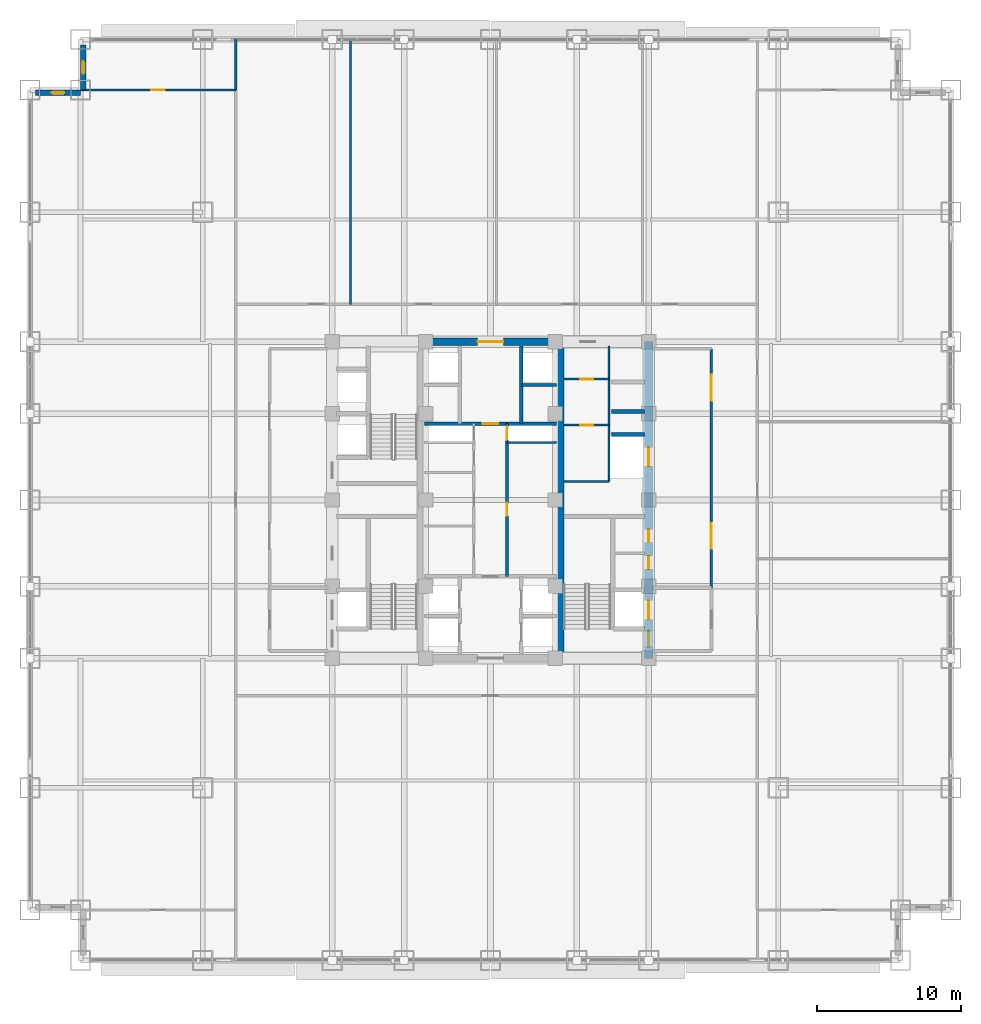
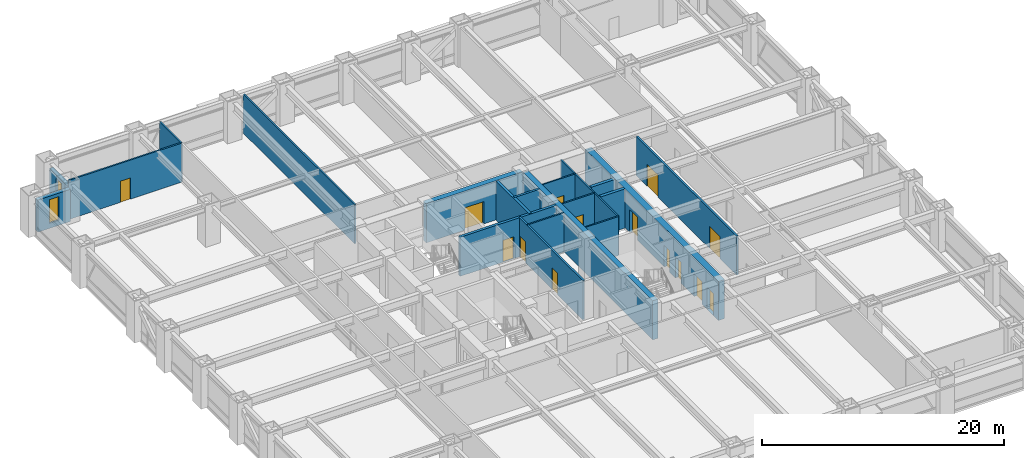
# One storey, part 25 of 31: 20 walls, 14 doors, 2 windows, 16 openings.
"""IFC4 building model written with IfcOpenShell, lengths in metres."""

import ifcopenshell
import ifcopenshell.guid

model = None  # the IFC model being written
_history = None  # IfcOwnerHistory: only IFC2X3 demands one
_inside = {}  # id of a spatial element -> (the spatial element, [elements in it])
_under = {}  # id of a project, library or spatial element -> (it, [spatial elements below it])
_declared = {}  # id of a project -> (the project, [libraries it declares])
_typed = {}  # id of a type object -> (the type object, [elements of that type])
_made_of = {}  # id of a material, layer set ... -> (it, [elements and type objects made of it])


def new_model(schema):
    """Start an empty IFC model of exactly this schema.

    Asked for "IFC4X3", IfcOpenShell would pick the latest addendum, in which some entities
    have other attributes; the version numbers below select the first issue.
    IFC2X3 requires an IfcOwnerHistory on every rooted entity: one is made here for all.
    """
    global model, _history
    if schema == "IFC4X3":
        model = ifcopenshell.file(schema_version=(4, 3, 0, 0))
    else:
        model = ifcopenshell.file(schema=schema)
    _inside.clear()
    _under.clear()
    _declared.clear()
    _typed.clear()
    _made_of.clear()
    _history = None
    if model.schema == "IFC2X3":
        org = make("IfcOrganization", Name="unknown")
        user = make(
            "IfcPersonAndOrganization",
            ThePerson=make("IfcPerson", FamilyName="unknown"),
            TheOrganization=org,
        )
        app = make(
            "IfcApplication",
            ApplicationDeveloper=org,
            Version="unknown",
            ApplicationFullName="unknown",
            ApplicationIdentifier="unknown",
        )
        _history = make(
            "IfcOwnerHistory",
            OwningUser=user,
            OwningApplication=app,
            ChangeAction="ADDED",
            CreationDate=0,
        )
    return model


def make(cls, **values):
    """One entity of the class cls with the attributes given. An attribute that is None is left unset."""
    return model.create_entity(
        cls, **{name: value for name, value in values.items() if value is not None}
    )


def rooted(cls, **values):
    """An entity with a GlobalId (a new one), such as an element, a storey or a relation."""
    return make(cls, GlobalId=ifcopenshell.guid.new(), OwnerHistory=_history, **values)


def si_unit(unit_type, name, prefix=None):
    """IfcSIUnit, for example si_unit("LENGTHUNIT", "METRE", prefix="MILLI")."""
    return make("IfcSIUnit", UnitType=unit_type, Prefix=prefix, Name=name)


def assignment(units):
    """IfcUnitAssignment: the units of a project."""
    return None if units is None else make("IfcUnitAssignment", Units=units)


def point(xyz):
    """IfcCartesianPoint."""
    return None if xyz is None else make("IfcCartesianPoint", Coordinates=xyz)


def direction(xyz):
    """IfcDirection."""
    return None if xyz is None else make("IfcDirection", DirectionRatios=xyz)


def frame(location, z_axis=None, x_axis=None):
    """IfcAxis2Placement3D, a coordinate frame: its origin and axes. An axis left out is left unset."""
    return make(
        "IfcAxis2Placement3D",
        Location=point(location),
        Axis=direction(z_axis),
        RefDirection=direction(x_axis),
    )


def frame_2d(location, x_axis=None):
    """IfcAxis2Placement2D, a coordinate frame in the plane: its origin and x axis."""
    return make(
        "IfcAxis2Placement2D", Location=point(location), RefDirection=direction(x_axis)
    )


def origin():
    """The frame at (0, 0, 0) with its axes left unset."""
    return frame((0.0, 0.0, 0.0))


def place(relative_to, where):
    """IfcLocalPlacement: puts the frame where relative to a parent placement (None: the world)."""
    return make(
        "IfcLocalPlacement", PlacementRelTo=relative_to, RelativePlacement=where
    )


def context(
    kind, dimensions, precision=None, world=None, true_north=None, identifier=None
):
    """IfcGeometricRepresentationContext, for example the 3D "Model" context."""
    return make(
        "IfcGeometricRepresentationContext",
        ContextIdentifier=identifier,
        ContextType=kind,
        CoordinateSpaceDimension=dimensions,
        Precision=precision,
        WorldCoordinateSystem=world,
        TrueNorth=true_north,
    )


def subcontext(parent, identifier, kind, view, scale=None):
    """IfcGeometricRepresentationSubContext, for example "Body" below "Model"."""
    return make(
        "IfcGeometricRepresentationSubContext",
        ContextIdentifier=identifier,
        ContextType=kind,
        ParentContext=parent,
        TargetScale=scale,
        TargetView=view,
    )


def project(units=None, contexts=None):
    """IfcProject with its units and contexts."""
    return rooted(
        "IfcProject",
        Name="project",
        RepresentationContexts=contexts,
        UnitsInContext=assignment(units),
    )


def spatial(cls, under=None, at=None, **own):
    """A site, building, storey or space (cls), placed at a placement, below another one or the project."""
    s = rooted(cls, ObjectPlacement=at, **own)
    if under is not None:
        _under.setdefault(under.id(), (under, []))[1].append(s)
    return s


def profile(cls, at=None, kind="AREA", **sizes):
    """A parametric profile (cls). Its sizes go by their IFC names, for example OverallWidth=200.0."""
    return make(cls, ProfileType=kind, Position=at, **sizes)


def rectangle(**sizes):
    """IfcRectangleProfileDef."""
    return profile("IfcRectangleProfileDef", **sizes)


def extrude(swept, where, along, depth):
    """IfcExtrudedAreaSolid: the profile swept, set in the frame where, extruded along a direction by depth."""
    return make(
        "IfcExtrudedAreaSolid",
        SweptArea=swept,
        Position=where,
        ExtrudedDirection=direction(along),
        Depth=depth,
    )


def shape(context_of_items, identifier, shape_type, items):
    """IfcShapeRepresentation: the items that make up one representation, for example the "Body"."""
    return make(
        "IfcShapeRepresentation",
        ContextOfItems=context_of_items,
        RepresentationIdentifier=identifier,
        RepresentationType=shape_type,
        Items=items,
    )


def source(mapping_origin, context_of_items, identifier, shape_type, items):
    """IfcRepresentationMap: a shape defined once, which mapped items show again and again."""
    return make(
        "IfcRepresentationMap",
        MappingOrigin=mapping_origin,
        MappedRepresentation=shape(context_of_items, identifier, shape_type, items),
    )


def transform(
    local_origin,
    x_axis=None,
    y_axis=None,
    z_axis=None,
    scale=None,
    scale2=None,
    scale3=None,
    uniform=True,
):
    """IfcCartesianTransformationOperator3D, or its non-uniform kind. x_axis, y_axis, z_axis: its Axis1, 2, 3."""
    if uniform:
        return make(
            "IfcCartesianTransformationOperator3D",
            Axis1=direction(x_axis),
            Axis2=direction(y_axis),
            LocalOrigin=point(local_origin),
            Scale=scale,
            Axis3=direction(z_axis),
        )
    return make(
        "IfcCartesianTransformationOperator3DnonUniform",
        Axis1=direction(x_axis),
        Axis2=direction(y_axis),
        LocalOrigin=point(local_origin),
        Scale=scale,
        Axis3=direction(z_axis),
        Scale2=scale2,
        Scale3=scale3,
    )


def mapped(mapping_source, mapping_target):
    """IfcMappedItem: shows the shape of a source again, moved by a transform."""
    return make(
        "IfcMappedItem", MappingSource=mapping_source, MappingTarget=mapping_target
    )


def material(Name=None, Category=None):
    """IfcMaterial."""
    return make("IfcMaterial", Name=Name, Category=Category)


def layer(
    of_material, thickness, ventilated=None, Name=None, Category=None, Priority=None
):
    """IfcMaterialLayer: one layer of a wall or slab, of a material (None: an air gap)."""
    return make(
        "IfcMaterialLayer",
        Material=of_material,
        LayerThickness=thickness,
        IsVentilated=ventilated,
        Name=Name,
        Category=Category,
        Priority=Priority,
    )


def layer_set(layers, Name=None):
    """IfcMaterialLayerSet."""
    return make("IfcMaterialLayerSet", MaterialLayers=layers, LayerSetName=Name)


def made_of(thing, what):
    """Note that an element or type object is made of a material, layer set ...; save() writes the relation."""
    if what is not None:
        _made_of.setdefault(what.id(), (what, []))[1].append(thing)
    return thing


def type_object(cls, material=None, **own):
    """A type object (cls), such as IfcWallType, which elements share."""
    return made_of(rooted(cls, **own), material)


def element(
    cls,
    number,
    at=None,
    inside=None,
    cuts=None,
    type_object=None,
    material=None,
    context=None,
    identifier="Body",
    shape_type=None,
    held_by="IfcProductDefinitionShape",
    body=None,
    shapes=None,
    **own,
):
    """One element of the class cls, such as IfcWall. Its Tag is "e" and its number.

    at: its placement. inside: the storey or other place that contains it. cuts: it is an
    opening in that element (IfcRelVoidsElement). A single representation is given by context,
    identifier, shape_type and body (its items); several are given by shapes. held_by: the class
    of the entity that holds the representations. save() writes the other relations.
    """
    e = rooted(cls, Tag="e%d" % number, ObjectPlacement=at, **own)
    if body is not None:
        shapes = [shape(context, identifier, shape_type, body)]
    if shapes is not None:
        e.Representation = make(held_by, Representations=shapes)
    if inside is not None:
        _inside.setdefault(inside.id(), (inside, []))[1].append(e)
    if cuts is not None:
        rooted(
            "IfcRelVoidsElement", RelatingBuildingElement=cuts, RelatedOpeningElement=e
        )
    if type_object is not None:
        _typed.setdefault(type_object.id(), (type_object, []))[1].append(e)
    return made_of(e, material)


def fill(opening, filler):
    """IfcRelFillsElement: the door or window that sits in an opening."""
    return rooted(
        "IfcRelFillsElement",
        RelatingOpeningElement=opening,
        RelatedBuildingElement=filler,
    )


def aggregate(whole, parts):
    """IfcRelAggregates: a whole, such as a stair, and the parts it consists of."""
    return rooted("IfcRelAggregates", RelatingObject=whole, RelatedObjects=parts)


def save(model, path):
    """Write the relations noted so far, then the file.

    IfcRelAggregates (storeys below a building ...), IfcRelContainedInSpatialStructure (elements
    in a storey), IfcRelDefinesByType, IfcRelAssociatesMaterial and IfcRelDeclares: one each for
    every whole, place, type object, material and project.
    """
    for whole, parts in _under.values():
        aggregate(whole, parts)
    for where, things in _inside.values():
        rooted(
            "IfcRelContainedInSpatialStructure",
            RelatedElements=things,
            RelatingStructure=where,
        )
    for kind, things in _typed.values():
        rooted("IfcRelDefinesByType", RelatedObjects=things, RelatingType=kind)
    for what, things in _made_of.values():
        rooted("IfcRelAssociatesMaterial", RelatedObjects=things, RelatingMaterial=what)
    for by, libraries in _declared.values():
        rooted("IfcRelDeclares", RelatingContext=by, RelatedDefinitions=libraries)
    model.write(path)


model = new_model("IFC4")

# Units and contexts
model_context = context("Model", 3, precision=1e-05, world=origin(), true_north=direction((0.0, 1.0)))
body_context = subcontext(model_context, "Body", "Model", "MODEL_VIEW")
ifc_project = project(units=[si_unit("LENGTHUNIT", "METRE"), si_unit("AREAUNIT", "SQUARE_METRE"), si_unit("VOLUMEUNIT", "CUBIC_METRE"), si_unit("PLANEANGLEUNIT", "RADIAN"), si_unit("MASSUNIT", "GRAM", prefix="KILO")], contexts=[model_context])

# Site, building, storey
site_placement = place(None, origin())
site = spatial("IfcSite", under=ifc_project, at=site_placement, CompositionType="ELEMENT")
building_placement = place(site_placement, origin())
building = spatial("IfcBuilding", under=site, at=building_placement, Name="Khorayat Bourse Tower", CompositionType="ELEMENT")
storey_placement = place(building_placement, frame((0.0, 0.0, 41.0)))
storey = spatial("IfcBuildingStorey", under=building, at=storey_placement, Name="L08", CompositionType="ELEMENT", Elevation=41.0)

# Wall, openings, doors
ifc_material_1 = material(Name="Concrete C60/75", Category="concrete")
ifc_layer_1 = layer(ifc_material_1, 0.60009765625)
ifc_layer_set_1 = layer_set([ifc_layer_1], Name="Concrete C60/75")
wall_type_1 = type_object("IfcWallType", Name="WAL-CORE-600", PredefinedType="SHEAR", material=ifc_layer_set_1)
shared_shape_1 = source(origin(), body_context, "Body", "SweptSolid", [
    extrude(rectangle(XDim=22.0, YDim=0.60009765625, at=frame_2d((11.0, 0.0))), origin(), (0.0, 0.0, 1.0), 3.93994140625),
])
wall_1_placement = place(storey_placement, frame((11.0, -11.0, 0.0), z_axis=(0.0, 0.0, 1.0), x_axis=(0.0, 1.0, 0.0)))
wall_1 = element("IfcWall", 1, at=wall_1_placement, inside=storey, type_object=wall_type_1, Name="L08 Core Shear Wall CORE-E", PredefinedType="SHEAR", context=body_context, shape_type="MappedRepresentation", body=[
    mapped(shared_shape_1, transform((0.0, 0.0, 0.0), scale=1.0)),
])
shared_shape_2 = source(origin(), body_context, "Body", "SweptSolid", [
    extrude(rectangle(XDim=1.10009765625, YDim=2.199951171875, at=frame_2d((0.550048828125, 1.10009765625))), frame((0.0, 0.31005859375, 0.0), z_axis=(0.0, -1.0, 0.0), x_axis=(1.0, 0.0, 0.0)), (0.0, 0.0, 1.0), 0.6201171875),
])
opening_1_placement = place(wall_1_placement, frame((0.800048828125, 0.0, 0.0)))
opening_1 = element("IfcOpeningElement", 2, at=opening_1_placement, cuts=wall_1, Name="Opening DI-01", PredefinedType="OPENING", context=body_context, shape_type="MappedRepresentation", body=[
    mapped(shared_shape_2, transform((0.0, 0.0, 0.0), scale=1.0)),
])
shared_shape_3 = source(origin(), body_context, "Body", "SweptSolid", [
    extrude(rectangle(XDim=0.89990234375, YDim=2.14990234375, at=frame_2d((0.449951171875, 1.074951171875))), frame((0.0, 0.31005859375, 0.0), z_axis=(0.0, -1.0, 0.0), x_axis=(1.0, 0.0, 0.0)), (0.0, 0.0, 1.0), 0.6201171875),
])
opening_2_placement = place(wall_1_placement, frame((6.199951171875, 0.0, 0.0)))
opening_2 = element("IfcOpeningElement", 3, at=opening_2_placement, cuts=wall_1, Name="Opening DI-06", PredefinedType="OPENING", context=body_context, shape_type="MappedRepresentation", body=[
    mapped(shared_shape_3, transform((0.0, 0.0, 0.0), scale=1.0)),
])
opening_3_placement = place(wall_1_placement, frame((8.050048828125, 0.0, 0.0)))
opening_3 = element("IfcOpeningElement", 4, at=opening_3_placement, cuts=wall_1, Name="Opening DI-06", PredefinedType="OPENING", context=body_context, shape_type="MappedRepresentation", body=[
    mapped(shared_shape_3, transform((0.0, 0.0, 0.0), scale=1.0)),
])
shared_shape_4 = source(origin(), body_context, "Body", "SweptSolid", [
    extrude(rectangle(XDim=1.300048828125, YDim=2.300048828125, at=frame_2d((0.64990234375, 1.14990234375))), frame((0.0, 0.31005859375, 0.0), z_axis=(0.0, -1.0, 0.0), x_axis=(1.0, 0.0, 0.0)), (0.0, 0.0, 1.0), 0.6201171875),
])
opening_4_placement = place(wall_1_placement, frame((2.699951171875, 0.0, 0.0)))
opening_4 = element("IfcOpeningElement", 5, at=opening_4_placement, cuts=wall_1, Name="Opening LD-02", PredefinedType="OPENING", context=body_context, shape_type="MappedRepresentation", body=[
    mapped(shared_shape_4, transform((0.0, 0.0, 0.0), scale=1.0)),
])
opening_5_placement = place(wall_1_placement, frame((13.35009765625, 0.0, 0.0)))
opening_5 = element("IfcOpeningElement", 6, at=opening_5_placement, cuts=wall_1, Name="Opening LD-02", PredefinedType="OPENING", context=body_context, shape_type="MappedRepresentation", body=[
    mapped(shared_shape_4, transform((0.0, 0.0, 0.0), scale=1.0)),
])
ifc_material_2 = material(Name="Fire-rated steel acoustic leaf", Category="steel")
door_type_1 = type_object("IfcDoorType", Name="DR-INT-STAIR-1100", OperationType="NOTDEFINED", PredefinedType="DOOR", material=ifc_material_2)
shared_shape_5 = source(origin(), body_context, "Body", "SweptSolid", [
    extrude(rectangle(XDim=1.10009765625, YDim=2.199951171875, at=frame_2d((0.550048828125, 1.10009765625))), frame((0.0, 0.02490234375, 0.0), z_axis=(0.0, -1.0, 0.0), x_axis=(1.0, 0.0, 0.0)), (0.0, 0.0, 1.0), 0.050048828125),
])
door_1_placement = place(opening_1_placement, origin())
door_1 = element("IfcDoor", 7, at=door_1_placement, inside=storey, type_object=door_type_1, Name="L08 Exit Stair 3 Door", OperationType="SINGLE_SWING_LEFT", OverallHeight=2.199951171875, OverallWidth=1.10009765625, PredefinedType="DOOR", context=body_context, shape_type="MappedRepresentation", body=[
    mapped(shared_shape_5, transform((0.0, 0.0, 0.0), scale=1.0)),
])
fill(opening_1, door_1)
ifc_material_3 = material(Name="Moisture-resistant laminate washroom door")
door_type_2 = type_object("IfcDoorType", Name="DR-INT-WC-900", OperationType="NOTDEFINED", PredefinedType="DOOR", material=ifc_material_3)
shared_shape_6 = source(origin(), body_context, "Body", "SweptSolid", [
    extrude(rectangle(XDim=0.89990234375, YDim=2.14990234375, at=frame_2d((0.449951171875, 1.074951171875))), frame((0.0, 0.02490234375, 0.0), z_axis=(0.0, -1.0, 0.0), x_axis=(1.0, 0.0, 0.0)), (0.0, 0.0, 1.0), 0.050048828125),
])
door_2_placement = place(opening_2_placement, origin())
door_2 = element("IfcDoor", 8, at=door_2_placement, inside=storey, type_object=door_type_2, Name="L08 Comms Closet Door", OperationType="SINGLE_SWING_LEFT", OverallHeight=2.14990234375, OverallWidth=0.89990234375, PredefinedType="DOOR", context=body_context, shape_type="MappedRepresentation", body=[
    mapped(shared_shape_6, transform((0.0, 0.0, 0.0), scale=1.0)),
])
fill(opening_2, door_2)
door_3_placement = place(opening_3_placement, origin())
door_3 = element("IfcDoor", 9, at=door_3_placement, inside=storey, type_object=door_type_2, Name="L08 Cleaner Store Door", OperationType="SINGLE_SWING_RIGHT", OverallHeight=2.14990234375, OverallWidth=0.89990234375, PredefinedType="DOOR", context=body_context, shape_type="MappedRepresentation", body=[
    mapped(shared_shape_6, transform((0.0, 0.0, 0.0), scale=1.0)),
])
fill(opening_3, door_3)
ifc_material_4 = material(Name="Fire-rated stainless-steel sliding landing door", Category="steel")
door_type_3 = type_object("IfcDoorType", Name="DR-LIFT-FF-1300", OperationType="NOTDEFINED", PredefinedType="DOOR", material=ifc_material_4)
shared_shape_7 = source(origin(), body_context, "Body", "SweptSolid", [
    extrude(rectangle(XDim=1.300048828125, YDim=2.300048828125, at=frame_2d((0.64990234375, 1.14990234375))), frame((0.0, 0.02490234375, 0.0), z_axis=(0.0, -1.0, 0.0), x_axis=(1.0, 0.0, 0.0)), (0.0, 0.0, 1.0), 0.050048828125),
])
door_4_placement = place(opening_4_placement, origin())
door_4 = element("IfcDoor", 10, at=door_4_placement, inside=storey, type_object=door_type_3, Name="L08 Lift FFL-02 Sliding Landing Door", OperationType="SLIDING_TO_LEFT", OverallHeight=2.300048828125, OverallWidth=1.300048828125, PredefinedType="DOOR", context=body_context, shape_type="MappedRepresentation", body=[
    mapped(shared_shape_7, transform((0.0, 0.0, 0.0), scale=1.0)),
])
fill(opening_4, door_4)
door_5_placement = place(opening_5_placement, origin())
door_5 = element("IfcDoor", 11, at=door_5_placement, inside=storey, type_object=door_type_3, Name="L08 Lift SVL-01 Sliding Landing Door", OperationType="SLIDING_TO_LEFT", OverallHeight=2.300048828125, OverallWidth=1.300048828125, PredefinedType="DOOR", context=body_context, shape_type="MappedRepresentation", body=[
    mapped(shared_shape_7, transform((0.0, 0.0, 0.0), scale=1.0)),
])
fill(opening_5, door_5)

# Wall
ifc_material_5 = material(Name="Concrete C52/65", Category="concrete")
ifc_layer_2 = layer(ifc_material_5, 0.5)
ifc_layer_set_2 = layer_set([ifc_layer_2], Name="Concrete C52/65")
wall_type_2 = type_object("IfcWallType", Name="WAL-CORE-500", PredefinedType="SHEAR", material=ifc_layer_set_2)
shared_shape_8 = source(origin(), body_context, "Body", "SweptSolid", [
    extrude(rectangle(XDim=21.39990234375, YDim=0.5, at=frame_2d((10.699951171875, 0.0))), origin(), (0.0, 0.0, 1.0), 3.93994140625),
])
wall_2_placement = place(storey_placement, frame((4.85009765625, -10.699951171875, 0.0), z_axis=(0.0, 0.0, 1.0), x_axis=(0.0, 1.0, 0.0)))
element("IfcWall", 12, at=wall_2_placement, inside=storey, type_object=wall_type_2, Name="L08 Core Shear Wall PIER-E", PredefinedType="SHEAR", context=body_context, shape_type="MappedRepresentation", body=[
    mapped(shared_shape_8, transform((0.0, 0.0, 0.0), scale=1.0)),
])

# Wall, opening, door
shared_shape_9 = source(origin(), body_context, "Body", "SweptSolid", [
    extrude(rectangle(XDim=9.2001953125, YDim=0.5, at=frame_2d((4.60009765625, 0.0))), origin(), (0.0, 0.0, 1.0), 3.93994140625),
])
wall_3_placement = place(storey_placement, frame((-4.60009765625, 11.0, 0.0), z_axis=(0.0, 0.0, 1.0), x_axis=(1.0, 0.0, 0.0)))
wall_3 = element("IfcWall", 13, at=wall_3_placement, inside=storey, type_object=wall_type_2, Name="L08 Core Shear Wall CORE-N", PredefinedType="SHEAR", context=body_context, shape_type="MappedRepresentation", body=[
    mapped(shared_shape_9, transform((0.0, 0.0, 0.0), scale=1.0)),
])
shared_shape_10 = source(origin(), body_context, "Body", "SweptSolid", [
    extrude(rectangle(XDim=1.800048828125, YDim=2.25, at=frame_2d((0.89990234375, 1.125))), frame((0.0, 0.260009765625, 0.0), z_axis=(0.0, -1.0, 0.0), x_axis=(1.0, 0.0, 0.0)), (0.0, 0.0, 1.0), 0.52001953125),
])
opening_6_placement = place(wall_3_placement, frame((3.699951171875, 0.0, 0.0)))
opening_6 = element("IfcOpeningElement", 14, at=opening_6_placement, cuts=wall_3, Name="Opening DI-03", PredefinedType="OPENING", context=body_context, shape_type="MappedRepresentation", body=[
    mapped(shared_shape_10, transform((0.0, 0.0, 0.0), scale=1.0)),
])
ifc_material_6 = material(Name="Fire-rated hardwood vision-panel double leaf", Category="wood")
door_type_4 = type_object("IfcDoorType", Name="DR-INT-CORR-1800", OperationType="NOTDEFINED", PredefinedType="DOOR", material=ifc_material_6)
shared_shape_11 = source(origin(), body_context, "Body", "SweptSolid", [
    extrude(rectangle(XDim=1.800048828125, YDim=2.25, at=frame_2d((0.89990234375, 1.125))), frame((0.0, 0.02490234375, 0.0), z_axis=(0.0, -1.0, 0.0), x_axis=(1.0, 0.0, 0.0)), (0.0, 0.0, 1.0), 0.050048828125),
])
door_6_placement = place(opening_6_placement, origin())
door_6 = element("IfcDoor", 15, at=door_6_placement, inside=storey, type_object=door_type_4, Name="L08 Mid-Rise Lift Lobby Door", OperationType="SINGLE_SWING_RIGHT", OverallHeight=2.25, OverallWidth=1.800048828125, PredefinedType="DOOR", context=body_context, shape_type="MappedRepresentation", body=[
    mapped(shared_shape_11, transform((0.0, 0.0, 0.0), scale=1.0)),
])
fill(opening_6, door_6)

# Wall, opening, window
ifc_material_7 = material(Name="Precast concrete C45/55", Category="concrete")
ifc_layer_3 = layer(ifc_material_7, 0.3798828125)
ifc_layer_set_3 = layer_set([ifc_layer_3], Name="Precast concrete C45/55")
wall_type_3 = type_object("IfcWallType", Name="WAL-EXT-STONE-380", PredefinedType="STANDARD", material=ifc_layer_set_3)
shared_shape_12 = source(origin(), body_context, "Body", "SweptSolid", [
    extrude(rectangle(XDim=3.1201171875, YDim=0.3798828125, at=frame_2d((1.56005859375, 0.0))), origin(), (0.0, 0.0, 1.0), 3.2451171875),
])
wall_4_placement = place(storey_placement, frame((-28.31005859375, 28.5, 0.0), z_axis=(0.0, 0.0, 1.0), x_axis=(0.0, 1.0, 0.0)))
wall_4 = element("IfcWall", 16, at=wall_4_placement, inside=storey, type_object=wall_type_3, Name="L08 Re-Entrant Notch Limestone Wall NW-V", PredefinedType="STANDARD", context=body_context, shape_type="MappedRepresentation", body=[
    mapped(shared_shape_12, transform((0.0, 0.0, 0.0), scale=1.0)),
])
shared_shape_13 = source(origin(), body_context, "Body", "SweptSolid", [
    extrude(rectangle(XDim=0.89990234375, YDim=2.39990234375, at=frame_2d((0.449951171875, 1.199951171875))), frame((0.0, 0.199951171875, 0.0), z_axis=(0.0, -1.0, 0.0), x_axis=(1.0, 0.0, 0.0)), (0.0, 0.0, 1.0), 0.39990234375),
])
opening_7_placement = place(wall_4_placement, frame((1.110107421875, 0.0, 0.5)))
opening_7 = element("IfcOpeningElement", 17, at=opening_7_placement, cuts=wall_4, Name="Opening WN-03", PredefinedType="OPENING", context=body_context, shape_type="MappedRepresentation", body=[
    mapped(shared_shape_13, transform((0.0, 0.0, 0.0), scale=1.0)),
])
ifc_material_8 = material(Name="Deep-reveal solar-control double glazing", Category="glass")
window_type = type_object("IfcWindowType", Name="WIN-SLOT-900x2400", PartitioningType="SINGLE_PANEL", PredefinedType="WINDOW", material=ifc_material_8)
shared_shape_14 = source(origin(), body_context, "Body", "SweptSolid", [
    extrude(rectangle(XDim=0.89990234375, YDim=2.39990234375, at=frame_2d((0.449951171875, 1.199951171875))), frame((0.0, 0.030029296875, 0.0), z_axis=(0.0, -1.0, 0.0), x_axis=(1.0, 0.0, 0.0)), (0.0, 0.0, 1.0), 0.06005859375),
])
window_1_placement = place(opening_7_placement, origin())
window_1 = element("IfcWindow", 18, at=window_1_placement, inside=storey, type_object=window_type, Name="L08 Facade Window 1", OverallHeight=2.39990234375, OverallWidth=0.89990234375, PartitioningType="SINGLE_PANEL", PredefinedType="WINDOW", context=body_context, shape_type="MappedRepresentation", body=[
    mapped(shared_shape_14, transform((0.0, 0.0, 0.0), scale=1.0)),
])
fill(opening_7, window_1)

wall_5_placement = place(storey_placement, frame((-28.5, 28.31005859375, 0.0), z_axis=(0.0, 0.0, 1.0), x_axis=(-1.0, 0.0, 0.0)))
wall_5 = element("IfcWall", 19, at=wall_5_placement, inside=storey, type_object=wall_type_3, Name="L08 Re-Entrant Notch Limestone Wall NW-H", PredefinedType="STANDARD", context=body_context, shape_type="MappedRepresentation", body=[
    mapped(shared_shape_12, transform((0.0, 0.0, 0.0), scale=1.0)),
])
opening_8_placement = place(wall_5_placement, frame((1.110107421875, 0.0, 0.5)))
opening_8 = element("IfcOpeningElement", 20, at=opening_8_placement, cuts=wall_5, Name="Opening WN-03", PredefinedType="OPENING", context=body_context, shape_type="MappedRepresentation", body=[
    mapped(shared_shape_13, transform((0.0, 0.0, 0.0), scale=1.0)),
])
window_2_placement = place(opening_8_placement, origin())
window_2 = element("IfcWindow", 21, at=window_2_placement, inside=storey, type_object=window_type, Name="L08 Facade Window 1", OverallHeight=2.39990234375, OverallWidth=0.89990234375, PartitioningType="SINGLE_PANEL", PredefinedType="WINDOW", context=body_context, shape_type="MappedRepresentation", body=[
    mapped(shared_shape_14, transform((0.0, 0.0, 0.0), scale=1.0)),
])
fill(opening_8, window_2)

# Walls
ifc_material_9 = material(Name="Concrete C50/60", Category="concrete")
ifc_layer_4 = layer(ifc_material_9, 0.300048828125)
ifc_layer_set_4 = layer_set([ifc_layer_4], Name="Concrete C50/60")
wall_type_4 = type_object("IfcWallType", Name="WAL-SHAFT-300", PredefinedType="SHEAR", material=ifc_layer_set_4)
shared_shape_15 = source(origin(), body_context, "Body", "SweptSolid", [
    extrude(rectangle(XDim=2.300048828125, YDim=0.300048828125, at=frame_2d((1.14990234375, 0.0))), origin(), (0.0, 0.0, 1.0), 3.93994140625),
])
for number, where, z_axis, x_axis, name in (
    (22, (8.39990234375, 4.550048828125, 0.0), (0.0, 0.0, 1.0), (1.0, 0.0, 0.0), "L08 Partition WAL-L08-EPIER-SVLN"),
    (23, (8.39990234375, 6.14990234375, 0.0), (0.0, 0.0, 1.0), (1.0, 0.0, 0.0), "L08 Partition WAL-L08-EPIER-H3S"),
):
    element("IfcWall", number, at=place(storey_placement, frame(where, z_axis=z_axis, x_axis=x_axis)), inside=storey, type_object=wall_type_4, Name=name, PredefinedType="SHEAR", context=body_context, shape_type="MappedRepresentation", body=[
        mapped(shared_shape_15, transform((0.0, 0.0, 0.0), scale=1.0)),
    ])
ifc_material_10 = material(Name="Moisture-resistant masonry partition", Category="masonry")
ifc_layer_5 = layer(ifc_material_10, 0.139892578125)
ifc_layer_set_5 = layer_set([ifc_layer_5], Name="Moisture-resistant masonry partition")
wall_type_5 = type_object("IfcWallType", Name="WAL-PART-WET-140", PredefinedType="PARTITIONING", material=ifc_layer_set_5)
shared_shape_16 = source(origin(), body_context, "Body", "SweptSolid", [
    extrude(rectangle(XDim=9.39990234375, YDim=0.139892578125, at=frame_2d((4.699951171875, 0.0))), origin(), (0.0, 0.0, 1.0), 3.93994140625),
])
wall_6_placement = place(storey_placement, frame((8.25, 1.300048828125, 0.0), z_axis=(0.0, 0.0, 1.0), x_axis=(0.0, 1.0, 0.0)))
element("IfcWall", 24, at=wall_6_placement, inside=storey, type_object=wall_type_5, Name="L08 Partition WAL-L08-ECORE-E", PredefinedType="PARTITIONING", context=body_context, shape_type="MappedRepresentation", body=[
    mapped(shared_shape_16, transform((0.0, 0.0, 0.0), scale=1.0)),
])
shared_shape_17 = source(origin(), body_context, "Body", "SweptSolid", [
    extrude(rectangle(XDim=3.14990234375, YDim=0.139892578125, at=frame_2d((1.574951171875, 0.0))), origin(), (0.0, 0.0, 1.0), 3.93994140625),
])
wall_7_placement = place(storey_placement, frame((5.10009765625, 1.300048828125, 0.0), z_axis=(0.0, 0.0, 1.0), x_axis=(1.0, 0.0, 0.0)))
element("IfcWall", 25, at=wall_7_placement, inside=storey, type_object=wall_type_5, Name="L08 Partition WAL-L08-ECORE-S", PredefinedType="PARTITIONING", context=body_context, shape_type="MappedRepresentation", body=[
    mapped(shared_shape_17, transform((0.0, 0.0, 0.0), scale=1.0)),
])

# Wall, opening, door
wall_8_placement = place(storey_placement, frame((5.10009765625, 8.39990234375, 0.0), z_axis=(0.0, 0.0, 1.0), x_axis=(1.0, 0.0, 0.0)))
wall_8 = element("IfcWall", 26, at=wall_8_placement, inside=storey, type_object=wall_type_5, Name="L08 Partition WAL-L08-ECW-TOP", PredefinedType="PARTITIONING", context=body_context, shape_type="MappedRepresentation", body=[
    mapped(shared_shape_17, transform((0.0, 0.0, 0.0), scale=1.0)),
])
shared_shape_18 = source(origin(), body_context, "Body", "SweptSolid", [
    extrude(rectangle(XDim=0.89990234375, YDim=2.14990234375, at=frame_2d((0.449951171875, 1.074951171875))), frame((0.0, 0.079833984375, 0.0), z_axis=(0.0, -1.0, 0.0), x_axis=(1.0, 0.0, 0.0)), (0.0, 0.0, 1.0), 0.159912109375),
])
opening_9_placement = place(wall_8_placement, frame((1.1298828125, 0.0, 0.0)))
opening_9 = element("IfcOpeningElement", 27, at=opening_9_placement, cuts=wall_8, Name="Opening DI-06", PredefinedType="OPENING", context=body_context, shape_type="MappedRepresentation", body=[
    mapped(shared_shape_18, transform((0.0, 0.0, 0.0), scale=1.0)),
])
door_7_placement = place(opening_9_placement, origin())
door_7 = element("IfcDoor", 28, at=door_7_placement, inside=storey, type_object=door_type_2, Name="L08 Accessible WC Door", OperationType="SINGLE_SWING_LEFT", OverallHeight=2.14990234375, OverallWidth=0.89990234375, PredefinedType="DOOR", context=body_context, shape_type="MappedRepresentation", body=[
    mapped(shared_shape_6, transform((0.0, 0.0, 0.0), scale=1.0)),
])
fill(opening_9, door_7)

wall_9_placement = place(storey_placement, frame((5.10009765625, 5.199951171875, 0.0), z_axis=(0.0, 0.0, 1.0), x_axis=(1.0, 0.0, 0.0)))
wall_9 = element("IfcWall", 29, at=wall_9_placement, inside=storey, type_object=wall_type_5, Name="L08 Partition WAL-L08-ECW-HZ", PredefinedType="PARTITIONING", context=body_context, shape_type="MappedRepresentation", body=[
    mapped(shared_shape_17, transform((0.0, 0.0, 0.0), scale=1.0)),
])
opening_10_placement = place(wall_9_placement, frame((1.1298828125, 0.0, 0.0)))
opening_10 = element("IfcOpeningElement", 30, at=opening_10_placement, cuts=wall_9, Name="Opening DI-06", PredefinedType="OPENING", context=body_context, shape_type="MappedRepresentation", body=[
    mapped(shared_shape_18, transform((0.0, 0.0, 0.0), scale=1.0)),
])
door_8_placement = place(opening_10_placement, origin())
door_8 = element("IfcDoor", 31, at=door_8_placement, inside=storey, type_object=door_type_2, Name="L08 Shared Washroom Door", OperationType="SINGLE_SWING_RIGHT", OverallHeight=2.14990234375, OverallWidth=0.89990234375, PredefinedType="DOOR", context=body_context, shape_type="MappedRepresentation", body=[
    mapped(shared_shape_6, transform((0.0, 0.0, 0.0), scale=1.0)),
])
fill(opening_10, door_8)

# Wall, openings, doors
ifc_material_11 = material(Name="Gypsum plasterboard acoustic stud wall")
ifc_layer_6 = layer(ifc_material_11, 0.179931640625)
ifc_layer_set_6 = layer_set([ifc_layer_6], Name="Gypsum plasterboard acoustic stud wall")
wall_type_6 = type_object("IfcWallType", Name="WAL-PART-CORR-180", PredefinedType="PARTITIONING", material=ifc_layer_set_6)
shared_shape_19 = source(origin(), body_context, "Body", "SweptSolid", [
    extrude(rectangle(XDim=16.60009765625, YDim=0.179931640625, at=frame_2d((8.300048828125, 0.0))), origin(), (0.0, 0.0, 1.0), 3.93994140625),
])
wall_10_placement = place(storey_placement, frame((15.35009765625, -6.10009765625, 0.0), z_axis=(0.0, 0.0, 1.0), x_axis=(0.0, 1.0, 0.0)))
wall_10 = element("IfcWall", 32, at=wall_10_placement, inside=storey, type_object=wall_type_6, Name="L08 Partition WAL-L08-ELOB-E", PredefinedType="PARTITIONING", context=body_context, shape_type="MappedRepresentation", body=[
    mapped(shared_shape_19, transform((0.0, 0.0, 0.0), scale=1.0)),
])
shared_shape_20 = source(origin(), body_context, "Body", "SweptSolid", [
    extrude(rectangle(XDim=1.800048828125, YDim=2.25, at=frame_2d((0.89990234375, 1.125))), frame((0.0, 0.099853515625, 0.0), z_axis=(0.0, -1.0, 0.0), x_axis=(1.0, 0.0, 0.0)), (0.0, 0.0, 1.0), 0.199951171875),
])
opening_11_placement = place(wall_10_placement, frame((2.699951171875, 0.0, 0.0)))
opening_11 = element("IfcOpeningElement", 33, at=opening_11_placement, cuts=wall_10, Name="Opening DI-03", PredefinedType="OPENING", context=body_context, shape_type="MappedRepresentation", body=[
    mapped(shared_shape_20, transform((0.0, 0.0, 0.0), scale=1.0)),
])
opening_12_placement = place(wall_10_placement, frame((13.0, 0.0, 0.0)))
opening_12 = element("IfcOpeningElement", 34, at=opening_12_placement, cuts=wall_10, Name="Opening DI-03", PredefinedType="OPENING", context=body_context, shape_type="MappedRepresentation", body=[
    mapped(shared_shape_20, transform((0.0, 0.0, 0.0), scale=1.0)),
])
door_9_placement = place(opening_11_placement, origin())
door_9 = element("IfcDoor", 35, at=door_9_placement, inside=storey, type_object=door_type_4, Name="L08 East Core Lobby South Door", OperationType="SINGLE_SWING_RIGHT", OverallHeight=2.25, OverallWidth=1.800048828125, PredefinedType="DOOR", context=body_context, shape_type="MappedRepresentation", body=[
    mapped(shared_shape_11, transform((0.0, 0.0, 0.0), scale=1.0)),
])
fill(opening_11, door_9)
door_10_placement = place(opening_12_placement, origin())
door_10 = element("IfcDoor", 36, at=door_10_placement, inside=storey, type_object=door_type_4, Name="L08 East Core Lobby North Door", OperationType="SINGLE_SWING_LEFT", OverallHeight=2.25, OverallWidth=1.800048828125, PredefinedType="DOOR", context=body_context, shape_type="MappedRepresentation", body=[
    mapped(shared_shape_11, transform((0.0, 0.0, 0.0), scale=1.0)),
])
fill(opening_12, door_10)

# Walls
ifc_material_12 = material(Name="Gypsum plasterboard twin-frame partition")
ifc_layer_7 = layer(ifc_material_12, 0.14990234375)
ifc_layer_set_7 = layer_set([ifc_layer_7], Name="Gypsum plasterboard twin-frame partition")
wall_type_7 = type_object("IfcWallType", Name="WAL-PART-SUITE-150", PredefinedType="PARTITIONING", material=ifc_layer_set_7)
shared_shape_21 = source(origin(), body_context, "Body", "SweptSolid", [
    extrude(rectangle(XDim=3.4501953125, YDim=0.14990234375, at=frame_2d((1.72509765625, 0.0))), origin(), (0.0, 0.0, 1.0), 3.93994140625),
])
wall_11_placement = place(storey_placement, frame((1.14990234375, 4.0, 0.0), z_axis=(0.0, 0.0, 1.0), x_axis=(1.0, 0.0, 0.0)))
element("IfcWall", 37, at=wall_11_placement, inside=storey, type_object=wall_type_7, Name="L08 Partition WAL-L08-CRSE-S", PredefinedType="PARTITIONING", context=body_context, shape_type="MappedRepresentation", body=[
    mapped(shared_shape_21, transform((0.0, 0.0, 0.0), scale=1.0)),
])
shared_shape_22 = source(origin(), body_context, "Body", "SweptSolid", [
    extrude(rectangle(XDim=5.39990234375, YDim=0.25, at=frame_2d((2.699951171875, 0.0))), origin(), (0.0, 0.0, 1.0), 3.93994140625),
])
wall_12_placement = place(storey_placement, frame((2.14990234375, 5.300048828125, 0.0), z_axis=(0.0, 0.0, 1.0), x_axis=(0.0, 1.0, 0.0)))
element("IfcWall", 38, at=wall_12_placement, inside=storey, type_object=wall_type_4, Name="L08 Partition WAL-L08-B2-E", PredefinedType="SHEAR", context=body_context, shape_type="MappedRepresentation", body=[
    mapped(shared_shape_22, transform((0.0, 0.0, 0.0), scale=1.0)),
])
shared_shape_23 = source(origin(), body_context, "Body", "SweptSolid", [
    extrude(rectangle(XDim=2.4501953125, YDim=0.199951171875, at=frame_2d((1.22509765625, 0.0))), origin(), (0.0, 0.0, 1.0), 3.93994140625),
])
wall_13_placement = place(storey_placement, frame((2.14990234375, 8.0, 0.0), z_axis=(0.0, 0.0, 1.0), x_axis=(1.0, 0.0, 0.0)))
element("IfcWall", 39, at=wall_13_placement, inside=storey, type_object=wall_type_4, Name="L08 Partition WAL-L08-B2-ME", PredefinedType="SHEAR", context=body_context, shape_type="MappedRepresentation", body=[
    mapped(shared_shape_23, transform((0.0, 0.0, 0.0), scale=1.0)),
])

# Wall, opening, door
shared_shape_24 = source(origin(), body_context, "Body", "SweptSolid", [
    extrude(rectangle(XDim=9.2001953125, YDim=0.25, at=frame_2d((4.60009765625, 0.0))), origin(), (0.0, 0.0, 1.0), 3.93994140625),
])
wall_14_placement = place(storey_placement, frame((-4.60009765625, 5.300048828125, 0.0), z_axis=(0.0, 0.0, 1.0), x_axis=(1.0, 0.0, 0.0)))
wall_14 = element("IfcWall", 40, at=wall_14_placement, inside=storey, type_object=wall_type_4, Name="L08 Partition WAL-L08-B2-S", PredefinedType="SHEAR", context=body_context, shape_type="MappedRepresentation", body=[
    mapped(shared_shape_24, transform((0.0, 0.0, 0.0), scale=1.0)),
])
shared_shape_25 = source(origin(), body_context, "Body", "SweptSolid", [
    extrude(rectangle(XDim=1.050048828125, YDim=2.199951171875, at=frame_2d((0.52490234375, 1.10009765625))), frame((0.0, 0.135009765625, 0.0), z_axis=(0.0, -1.0, 0.0), x_axis=(1.0, 0.0, 0.0)), (0.0, 0.0, 1.0), 0.27001953125),
])
opening_13_placement = place(wall_14_placement, frame((4.074951171875, 0.0, 0.0)))
opening_13 = element("IfcOpeningElement", 41, at=opening_13_placement, cuts=wall_14, Name="Opening DI-04", PredefinedType="OPENING", context=body_context, shape_type="MappedRepresentation", body=[
    mapped(shared_shape_25, transform((0.0, 0.0, 0.0), scale=1.0)),
])
ifc_material_13 = material(Name="Fire-rated oak veneer suite entrance door")
door_type_5 = type_object("IfcDoorType", Name="DR-INT-SUITE-1050", OperationType="NOTDEFINED", PredefinedType="DOOR", material=ifc_material_13)
shared_shape_26 = source(origin(), body_context, "Body", "SweptSolid", [
    extrude(rectangle(XDim=1.050048828125, YDim=2.199951171875, at=frame_2d((0.52490234375, 1.10009765625))), frame((0.0, 0.02490234375, 0.0), z_axis=(0.0, -1.0, 0.0), x_axis=(1.0, 0.0, 0.0)), (0.0, 0.0, 1.0), 0.050048828125),
])
door_11_placement = place(opening_13_placement, origin())
door_11 = element("IfcDoor", 42, at=door_11_placement, inside=storey, type_object=door_type_5, Name="L08 Core Spine North Door", OperationType="SINGLE_SWING_RIGHT", OverallHeight=2.199951171875, OverallWidth=1.050048828125, PredefinedType="DOOR", context=body_context, shape_type="MappedRepresentation", body=[
    mapped(shared_shape_26, transform((0.0, 0.0, 0.0), scale=1.0)),
])
fill(opening_13, door_11)

# Wall, openings, doors
shared_shape_27 = source(origin(), body_context, "Body", "SweptSolid", [
    extrude(rectangle(XDim=10.60009765625, YDim=0.179931640625, at=frame_2d((5.300048828125, 0.0))), origin(), (0.0, 0.0, 1.0), 3.93994140625),
])
wall_15_placement = place(storey_placement, frame((1.14990234375, -5.300048828125, 0.0), z_axis=(0.0, 0.0, 1.0), x_axis=(0.0, 1.0, 0.0)))
wall_15 = element("IfcWall", 43, at=wall_15_placement, inside=storey, type_object=wall_type_6, Name="L08 Partition WAL-L08-CME-L", PredefinedType="PARTITIONING", context=body_context, shape_type="MappedRepresentation", body=[
    mapped(shared_shape_27, transform((0.0, 0.0, 0.0), scale=1.0)),
])
shared_shape_28 = source(origin(), body_context, "Body", "SweptSolid", [
    extrude(rectangle(XDim=0.89990234375, YDim=2.14990234375, at=frame_2d((0.449951171875, 1.074951171875))), frame((0.0, 0.099853515625, 0.0), z_axis=(0.0, -1.0, 0.0), x_axis=(1.0, 0.0, 0.0)), (0.0, 0.0, 1.0), 0.199951171875),
])
opening_14_placement = place(wall_15_placement, frame((4.199951171875, 0.0, 0.0)))
opening_14 = element("IfcOpeningElement", 44, at=opening_14_placement, cuts=wall_15, Name="Opening DI-06", PredefinedType="OPENING", context=body_context, shape_type="MappedRepresentation", body=[
    mapped(shared_shape_28, transform((0.0, 0.0, 0.0), scale=1.0)),
])
opening_15_placement = place(wall_15_placement, frame((9.47509765625, 0.0, 0.0)))
opening_15 = element("IfcOpeningElement", 45, at=opening_15_placement, cuts=wall_15, Name="Opening DI-06", PredefinedType="OPENING", context=body_context, shape_type="MappedRepresentation", body=[
    mapped(shared_shape_28, transform((0.0, 0.0, 0.0), scale=1.0)),
])
door_12_placement = place(opening_14_placement, origin())
door_12 = element("IfcDoor", 46, at=door_12_placement, inside=storey, type_object=door_type_2, Name="L08 Female Core Washroom Door", OperationType="SINGLE_SWING_RIGHT", OverallHeight=2.14990234375, OverallWidth=0.89990234375, PredefinedType="DOOR", context=body_context, shape_type="MappedRepresentation", body=[
    mapped(shared_shape_6, transform((0.0, 0.0, 0.0), scale=1.0)),
])
fill(opening_14, door_12)
door_13_placement = place(opening_15_placement, origin())
door_13 = element("IfcDoor", 47, at=door_13_placement, inside=storey, type_object=door_type_2, Name="L08 East Core Riser Door", OperationType="SINGLE_SWING_RIGHT", OverallHeight=2.14990234375, OverallWidth=0.89990234375, PredefinedType="DOOR", context=body_context, shape_type="MappedRepresentation", body=[
    mapped(shared_shape_6, transform((0.0, 0.0, 0.0), scale=1.0)),
])
fill(opening_15, door_13)

# Walls
shared_shape_29 = source(origin(), body_context, "Body", "SweptSolid", [
    extrude(rectangle(XDim=18.39990234375, YDim=0.14990234375, at=frame_2d((9.199951171875, 0.0))), origin(), (0.0, 0.0, 1.0), 3.93994140625),
])
wall_16_placement = place(storey_placement, frame((-9.72509765625, 13.60009765625, 0.0), z_axis=(0.0, 0.0, 1.0), x_axis=(0.0, 1.0, 0.0)))
element("IfcWall", 48, at=wall_16_placement, inside=storey, type_object=wall_type_7, Name="L08 Partition WAL-L08-NDV-1", PredefinedType="PARTITIONING", context=body_context, shape_type="MappedRepresentation", body=[
    mapped(shared_shape_29, transform((0.0, 0.0, 0.0), scale=1.0)),
])
shared_shape_30 = source(origin(), body_context, "Body", "SweptSolid", [
    extrude(rectangle(XDim=3.5, YDim=0.14990234375, at=frame_2d((1.75, 0.0))), origin(), (0.0, 0.0, 1.0), 3.93994140625),
])
wall_17_placement = place(storey_placement, frame((-17.699951171875, 28.5, 0.0), z_axis=(0.0, 0.0, 1.0), x_axis=(0.0, 1.0, 0.0)))
element("IfcWall", 49, at=wall_17_placement, inside=storey, type_object=wall_type_7, Name="L08 Partition WAL-L08-NCW-END", PredefinedType="PARTITIONING", context=body_context, shape_type="MappedRepresentation", body=[
    mapped(shared_shape_30, transform((0.0, 0.0, 0.0), scale=1.0)),
])

# Wall, opening, door
shared_shape_31 = source(origin(), body_context, "Body", "SweptSolid", [
    extrude(rectangle(XDim=10.800048828125, YDim=0.14990234375, at=frame_2d((5.39990234375, 0.0))), origin(), (0.0, 0.0, 1.0), 3.93994140625),
])
wall_18_placement = place(storey_placement, frame((-28.5, 28.5, 0.0), z_axis=(0.0, 0.0, 1.0), x_axis=(1.0, 0.0, 0.0)))
wall_18 = element("IfcWall", 50, at=wall_18_placement, inside=storey, type_object=wall_type_7, Name="L08 Partition WAL-L08-CNW", PredefinedType="PARTITIONING", context=body_context, shape_type="MappedRepresentation", body=[
    mapped(shared_shape_31, transform((0.0, 0.0, 0.0), scale=1.0)),
])
shared_shape_32 = source(origin(), body_context, "Body", "SweptSolid", [
    extrude(rectangle(XDim=0.949951171875, YDim=2.14990234375, at=frame_2d((0.47509765625, 1.074951171875))), frame((0.0, 0.0849609375, 0.0), z_axis=(0.0, -1.0, 0.0), x_axis=(1.0, 0.0, 0.0)), (0.0, 0.0, 1.0), 0.169921875),
])
opening_16_placement = place(wall_18_placement, frame((4.925048828125, 0.0, 0.0)))
opening_16 = element("IfcOpeningElement", 51, at=opening_16_placement, cuts=wall_18, Name="Opening DI-05", PredefinedType="OPENING", context=body_context, shape_type="MappedRepresentation", body=[
    mapped(shared_shape_32, transform((0.0, 0.0, 0.0), scale=1.0)),
])
ifc_material_14 = material(Name="Acoustic oak veneer office door")
door_type_6 = type_object("IfcDoorType", Name="DR-INT-OFFICE-950", OperationType="NOTDEFINED", PredefinedType="DOOR", material=ifc_material_14)
shared_shape_33 = source(origin(), body_context, "Body", "SweptSolid", [
    extrude(rectangle(XDim=0.949951171875, YDim=2.14990234375, at=frame_2d((0.47509765625, 1.074951171875))), frame((0.0, 0.02490234375, 0.0), z_axis=(0.0, -1.0, 0.0), x_axis=(1.0, 0.0, 0.0)), (0.0, 0.0, 1.0), 0.050048828125),
])
door_14_placement = place(opening_16_placement, origin())
door_14 = element("IfcDoor", 52, at=door_14_placement, inside=storey, type_object=door_type_6, Name="L08 North-West Corner Meeting Room Door", OperationType="SINGLE_SWING_LEFT", OverallHeight=2.14990234375, OverallWidth=0.949951171875, PredefinedType="DOOR", context=body_context, shape_type="MappedRepresentation", body=[
    mapped(shared_shape_33, transform((0.0, 0.0, 0.0), scale=1.0)),
])
fill(opening_16, door_14)

save(model, "model.ifc")
